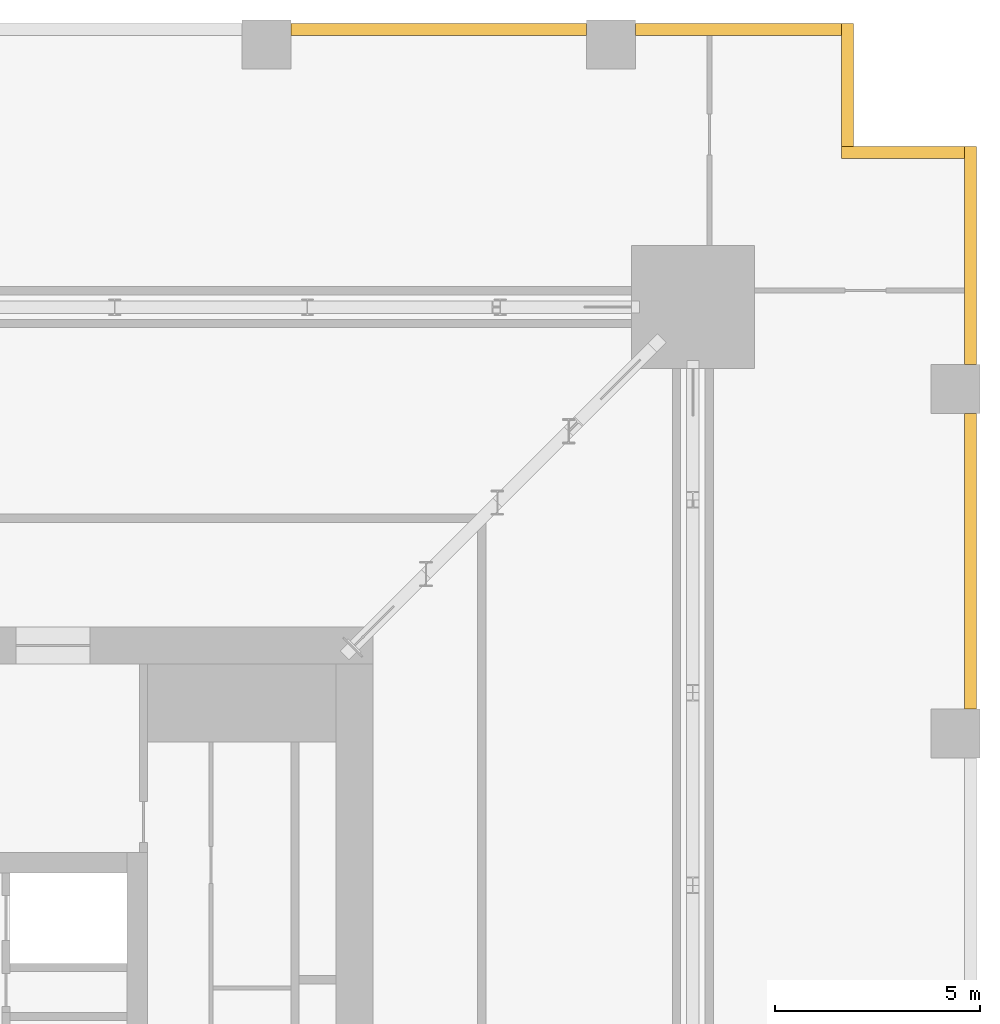
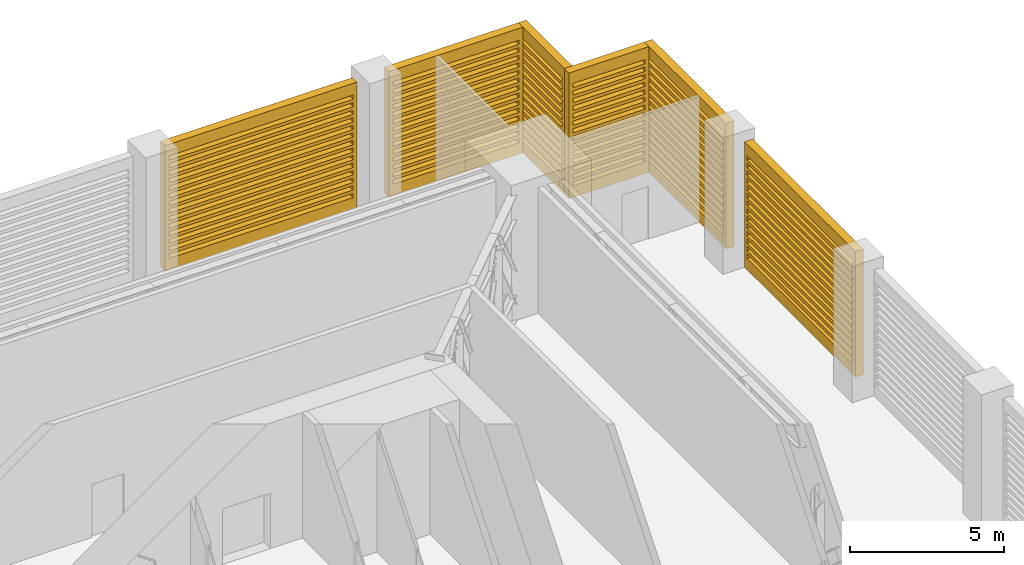
# One storey, part 17 of 17: 6 shading devices.
"""IFC4 building model written with IfcOpenShell, lengths in metres."""

from ifc_helpers import new_model, si_unit, direction, frame, origin, place, context, subcontext, project, spatial, polyline, outline, extrude, material, type_object, element, save


model = new_model("IFC4")

# Units and contexts
model_context = context("Model", 3, precision=1e-05, world=origin(), true_north=direction((0.0, 1.0)))
body_context = subcontext(model_context, "Body", "Model", "MODEL_VIEW")
ifc_project = project(units=[si_unit("LENGTHUNIT", "METRE"), si_unit("AREAUNIT", "SQUARE_METRE"), si_unit("VOLUMEUNIT", "CUBIC_METRE"), si_unit("PLANEANGLEUNIT", "RADIAN"), si_unit("MASSUNIT", "GRAM", prefix="KILO")], contexts=[model_context])

# Site, building, storey
site_placement = place(None, origin())
site = spatial("IfcSite", under=ifc_project, at=site_placement, CompositionType="ELEMENT")
building_placement = place(site_placement, origin())
building = spatial("IfcBuilding", under=site, at=building_placement, Name="Khepri Terraces", CompositionType="ELEMENT")
storey_placement = place(building_placement, frame((0.0, 0.0, 73.800048828125)))
storey = spatial("IfcBuildingStorey", under=building, at=storey_placement, Name="L17", CompositionType="ELEMENT", Elevation=73.800048828125)

# Shading devices
ifc_material = material(Name="Anodised aluminium bronze", Category="aluminium")
shading_device_type = type_object("IfcShadingDeviceType", Name="LVR-PLANT-300", PredefinedType="USERDEFINED", material=ifc_material)
shading_device_1_placement = place(storey_placement, frame((25.419921875, 9.0, 0.0), z_axis=(1.0, 0.0, 0.0), x_axis=(0.0, 1.0, 0.0)))
element("IfcShadingDevice", 1, at=shading_device_1_placement, inside=storey, type_object=shading_device_type, Name="Louvre wall L17 E", ObjectType="LOUVRE", PredefinedType="USERDEFINED", context=body_context, shape_type="SweptSolid", body=[
    extrude(outline(polyline([(0.0, 0.0), (7.199951171875, 0.0), (7.199951171875, 4.97998046875), (0.0, 4.97998046875), (0.0, 0.0)]), holes=[polyline([(0.14990234375, 0.449951171875), (7.050048828125, 0.449951171875), (7.050048828125, 0.6201171875), (0.14990234375, 0.6201171875), (0.14990234375, 0.449951171875)]), polyline([(0.14990234375, 0.75), (7.050048828125, 0.75), (7.050048828125, 0.919921875), (0.14990234375, 0.919921875), (0.14990234375, 0.75)]), polyline([(0.14990234375, 1.050048828125), (7.050048828125, 1.050048828125), (7.050048828125, 1.219970703125), (0.14990234375, 1.219970703125), (0.14990234375, 1.050048828125)]), polyline([(0.14990234375, 1.35009765625), (7.050048828125, 1.35009765625), (7.050048828125, 1.52001953125), (0.14990234375, 1.52001953125), (0.14990234375, 1.35009765625)]), polyline([(0.14990234375, 1.64990234375), (7.050048828125, 1.64990234375), (7.050048828125, 1.820068359375), (0.14990234375, 1.820068359375), (0.14990234375, 1.64990234375)]), polyline([(0.14990234375, 1.949951171875), (7.050048828125, 1.949951171875), (7.050048828125, 2.1201171875), (0.14990234375, 2.1201171875), (0.14990234375, 1.949951171875)]), polyline([(0.14990234375, 2.25), (7.050048828125, 2.25), (7.050048828125, 2.419921875), (0.14990234375, 2.419921875), (0.14990234375, 2.25)]), polyline([(0.14990234375, 2.550048828125), (7.050048828125, 2.550048828125), (7.050048828125, 2.719970703125), (0.14990234375, 2.719970703125), (0.14990234375, 2.550048828125)]), polyline([(0.14990234375, 2.85009765625), (7.050048828125, 2.85009765625), (7.050048828125, 3.02001953125), (0.14990234375, 3.02001953125), (0.14990234375, 2.85009765625)]), polyline([(0.14990234375, 3.14990234375), (7.050048828125, 3.14990234375), (7.050048828125, 3.320068359375), (0.14990234375, 3.320068359375), (0.14990234375, 3.14990234375)]), polyline([(0.14990234375, 3.449951171875), (7.050048828125, 3.449951171875), (7.050048828125, 3.6201171875), (0.14990234375, 3.6201171875), (0.14990234375, 3.449951171875)]), polyline([(0.14990234375, 3.75), (7.050048828125, 3.75), (7.050048828125, 3.919921875), (0.14990234375, 3.919921875), (0.14990234375, 3.75)]), polyline([(0.14990234375, 4.050048828125), (7.050048828125, 4.050048828125), (7.050048828125, 4.219970703125), (0.14990234375, 4.219970703125), (0.14990234375, 4.050048828125)]), polyline([(0.14990234375, 4.35009765625), (7.050048828125, 4.35009765625), (7.050048828125, 4.52001953125), (0.14990234375, 4.52001953125), (0.14990234375, 4.35009765625)])]), origin(), (0.0, 0.0, 1.0), 0.300048828125),
])
shading_device_2_placement = place(storey_placement, frame((25.419921875, 17.39990234375, 0.0), z_axis=(1.0, 0.0, 0.0), x_axis=(0.0, 1.0, 0.0)))
element("IfcShadingDevice", 2, at=shading_device_2_placement, inside=storey, type_object=shading_device_type, Name="Louvre wall L17 E", ObjectType="LOUVRE", PredefinedType="USERDEFINED", context=body_context, shape_type="SweptSolid", body=[
    extrude(outline(polyline([(0.0, 0.0), (5.320068359375, 0.0), (5.320068359375, 4.97998046875), (0.0, 4.97998046875), (0.0, 0.0)]), holes=[polyline([(0.14990234375, 0.449951171875), (5.169921875, 0.449951171875), (5.169921875, 0.6201171875), (0.14990234375, 0.6201171875), (0.14990234375, 0.449951171875)]), polyline([(0.14990234375, 0.75), (5.169921875, 0.75), (5.169921875, 0.919921875), (0.14990234375, 0.919921875), (0.14990234375, 0.75)]), polyline([(0.14990234375, 1.050048828125), (5.169921875, 1.050048828125), (5.169921875, 1.219970703125), (0.14990234375, 1.219970703125), (0.14990234375, 1.050048828125)]), polyline([(0.14990234375, 1.35009765625), (5.169921875, 1.35009765625), (5.169921875, 1.52001953125), (0.14990234375, 1.52001953125), (0.14990234375, 1.35009765625)]), polyline([(0.14990234375, 1.64990234375), (5.169921875, 1.64990234375), (5.169921875, 1.820068359375), (0.14990234375, 1.820068359375), (0.14990234375, 1.64990234375)]), polyline([(0.14990234375, 1.949951171875), (5.169921875, 1.949951171875), (5.169921875, 2.1201171875), (0.14990234375, 2.1201171875), (0.14990234375, 1.949951171875)]), polyline([(0.14990234375, 2.25), (5.169921875, 2.25), (5.169921875, 2.419921875), (0.14990234375, 2.419921875), (0.14990234375, 2.25)]), polyline([(0.14990234375, 2.550048828125), (5.169921875, 2.550048828125), (5.169921875, 2.719970703125), (0.14990234375, 2.719970703125), (0.14990234375, 2.550048828125)]), polyline([(0.14990234375, 2.85009765625), (5.169921875, 2.85009765625), (5.169921875, 3.02001953125), (0.14990234375, 3.02001953125), (0.14990234375, 2.85009765625)]), polyline([(0.14990234375, 3.14990234375), (5.169921875, 3.14990234375), (5.169921875, 3.320068359375), (0.14990234375, 3.320068359375), (0.14990234375, 3.14990234375)]), polyline([(0.14990234375, 3.449951171875), (5.169921875, 3.449951171875), (5.169921875, 3.6201171875), (0.14990234375, 3.6201171875), (0.14990234375, 3.449951171875)]), polyline([(0.14990234375, 3.75), (5.169921875, 3.75), (5.169921875, 3.919921875), (0.14990234375, 3.919921875), (0.14990234375, 3.75)]), polyline([(0.14990234375, 4.050048828125), (5.169921875, 4.050048828125), (5.169921875, 4.219970703125), (0.14990234375, 4.219970703125), (0.14990234375, 4.050048828125)]), polyline([(0.14990234375, 4.35009765625), (5.169921875, 4.35009765625), (5.169921875, 4.52001953125), (0.14990234375, 4.52001953125), (0.14990234375, 4.35009765625)])]), origin(), (0.0, 0.0, 1.0), 0.300048828125),
])
shading_device_3_placement = place(storey_placement, frame((25.419921875, 22.419921875, 0.0), z_axis=(0.0, 1.0, 0.0), x_axis=(-1.0, 0.0, 0.0)))
element("IfcShadingDevice", 3, at=shading_device_3_placement, inside=storey, type_object=shading_device_type, Name="Louvre wall L17 N", ObjectType="LOUVRE", PredefinedType="USERDEFINED", context=body_context, shape_type="SweptSolid", body=[
    extrude(outline(polyline([(0.0, 0.0), (3.0, 0.0), (3.0, 4.97998046875), (0.0, 4.97998046875), (0.0, 0.0)]), holes=[polyline([(0.14990234375, 0.449951171875), (2.85009765625, 0.449951171875), (2.85009765625, 0.6201171875), (0.14990234375, 0.6201171875), (0.14990234375, 0.449951171875)]), polyline([(0.14990234375, 0.75), (2.85009765625, 0.75), (2.85009765625, 0.919921875), (0.14990234375, 0.919921875), (0.14990234375, 0.75)]), polyline([(0.14990234375, 1.050048828125), (2.85009765625, 1.050048828125), (2.85009765625, 1.219970703125), (0.14990234375, 1.219970703125), (0.14990234375, 1.050048828125)]), polyline([(0.14990234375, 1.35009765625), (2.85009765625, 1.35009765625), (2.85009765625, 1.52001953125), (0.14990234375, 1.52001953125), (0.14990234375, 1.35009765625)]), polyline([(0.14990234375, 1.64990234375), (2.85009765625, 1.64990234375), (2.85009765625, 1.820068359375), (0.14990234375, 1.820068359375), (0.14990234375, 1.64990234375)]), polyline([(0.14990234375, 1.949951171875), (2.85009765625, 1.949951171875), (2.85009765625, 2.1201171875), (0.14990234375, 2.1201171875), (0.14990234375, 1.949951171875)]), polyline([(0.14990234375, 2.25), (2.85009765625, 2.25), (2.85009765625, 2.419921875), (0.14990234375, 2.419921875), (0.14990234375, 2.25)]), polyline([(0.14990234375, 2.550048828125), (2.85009765625, 2.550048828125), (2.85009765625, 2.719970703125), (0.14990234375, 2.719970703125), (0.14990234375, 2.550048828125)]), polyline([(0.14990234375, 2.85009765625), (2.85009765625, 2.85009765625), (2.85009765625, 3.02001953125), (0.14990234375, 3.02001953125), (0.14990234375, 2.85009765625)]), polyline([(0.14990234375, 3.14990234375), (2.85009765625, 3.14990234375), (2.85009765625, 3.320068359375), (0.14990234375, 3.320068359375), (0.14990234375, 3.14990234375)]), polyline([(0.14990234375, 3.449951171875), (2.85009765625, 3.449951171875), (2.85009765625, 3.6201171875), (0.14990234375, 3.6201171875), (0.14990234375, 3.449951171875)]), polyline([(0.14990234375, 3.75), (2.85009765625, 3.75), (2.85009765625, 3.919921875), (0.14990234375, 3.919921875), (0.14990234375, 3.75)]), polyline([(0.14990234375, 4.050048828125), (2.85009765625, 4.050048828125), (2.85009765625, 4.219970703125), (0.14990234375, 4.219970703125), (0.14990234375, 4.050048828125)]), polyline([(0.14990234375, 4.35009765625), (2.85009765625, 4.35009765625), (2.85009765625, 4.52001953125), (0.14990234375, 4.52001953125), (0.14990234375, 4.35009765625)])]), origin(), (0.0, 0.0, 1.0), 0.300048828125),
])
shading_device_4_placement = place(storey_placement, frame((22.419921875, 22.719970703125, 0.0), z_axis=(1.0, 0.0, 0.0), x_axis=(0.0, 1.0, 0.0)))
element("IfcShadingDevice", 4, at=shading_device_4_placement, inside=storey, type_object=shading_device_type, Name="Louvre wall L17 E", ObjectType="LOUVRE", PredefinedType="USERDEFINED", context=body_context, shape_type="SweptSolid", body=[
    extrude(outline(polyline([(0.0, 0.0), (3.0, 0.0), (3.0, 4.97998046875), (0.0, 4.97998046875), (0.0, 0.0)]), holes=[polyline([(0.14990234375, 0.449951171875), (2.85009765625, 0.449951171875), (2.85009765625, 0.6201171875), (0.14990234375, 0.6201171875), (0.14990234375, 0.449951171875)]), polyline([(0.14990234375, 0.75), (2.85009765625, 0.75), (2.85009765625, 0.919921875), (0.14990234375, 0.919921875), (0.14990234375, 0.75)]), polyline([(0.14990234375, 1.050048828125), (2.85009765625, 1.050048828125), (2.85009765625, 1.219970703125), (0.14990234375, 1.219970703125), (0.14990234375, 1.050048828125)]), polyline([(0.14990234375, 1.35009765625), (2.85009765625, 1.35009765625), (2.85009765625, 1.52001953125), (0.14990234375, 1.52001953125), (0.14990234375, 1.35009765625)]), polyline([(0.14990234375, 1.64990234375), (2.85009765625, 1.64990234375), (2.85009765625, 1.820068359375), (0.14990234375, 1.820068359375), (0.14990234375, 1.64990234375)]), polyline([(0.14990234375, 1.949951171875), (2.85009765625, 1.949951171875), (2.85009765625, 2.1201171875), (0.14990234375, 2.1201171875), (0.14990234375, 1.949951171875)]), polyline([(0.14990234375, 2.25), (2.85009765625, 2.25), (2.85009765625, 2.419921875), (0.14990234375, 2.419921875), (0.14990234375, 2.25)]), polyline([(0.14990234375, 2.550048828125), (2.85009765625, 2.550048828125), (2.85009765625, 2.719970703125), (0.14990234375, 2.719970703125), (0.14990234375, 2.550048828125)]), polyline([(0.14990234375, 2.85009765625), (2.85009765625, 2.85009765625), (2.85009765625, 3.02001953125), (0.14990234375, 3.02001953125), (0.14990234375, 2.85009765625)]), polyline([(0.14990234375, 3.14990234375), (2.85009765625, 3.14990234375), (2.85009765625, 3.320068359375), (0.14990234375, 3.320068359375), (0.14990234375, 3.14990234375)]), polyline([(0.14990234375, 3.449951171875), (2.85009765625, 3.449951171875), (2.85009765625, 3.6201171875), (0.14990234375, 3.6201171875), (0.14990234375, 3.449951171875)]), polyline([(0.14990234375, 3.75), (2.85009765625, 3.75), (2.85009765625, 3.919921875), (0.14990234375, 3.919921875), (0.14990234375, 3.75)]), polyline([(0.14990234375, 4.050048828125), (2.85009765625, 4.050048828125), (2.85009765625, 4.219970703125), (0.14990234375, 4.219970703125), (0.14990234375, 4.050048828125)]), polyline([(0.14990234375, 4.35009765625), (2.85009765625, 4.35009765625), (2.85009765625, 4.52001953125), (0.14990234375, 4.52001953125), (0.14990234375, 4.35009765625)])]), origin(), (0.0, 0.0, 1.0), 0.300048828125),
])
shading_device_5_placement = place(storey_placement, frame((22.419921875, 25.419921875, 0.0), z_axis=(0.0, 1.0, 0.0), x_axis=(-1.0, 0.0, 0.0)))
element("IfcShadingDevice", 5, at=shading_device_5_placement, inside=storey, type_object=shading_device_type, Name="Louvre wall L17 N", ObjectType="LOUVRE", PredefinedType="USERDEFINED", context=body_context, shape_type="SweptSolid", body=[
    extrude(outline(polyline([(0.0, 0.0), (5.02001953125, 0.0), (5.02001953125, 4.97998046875), (0.0, 4.97998046875), (0.0, 0.0)]), holes=[polyline([(0.14990234375, 0.449951171875), (4.8701171875, 0.449951171875), (4.8701171875, 0.6201171875), (0.14990234375, 0.6201171875), (0.14990234375, 0.449951171875)]), polyline([(0.14990234375, 0.75), (4.8701171875, 0.75), (4.8701171875, 0.919921875), (0.14990234375, 0.919921875), (0.14990234375, 0.75)]), polyline([(0.14990234375, 1.050048828125), (4.8701171875, 1.050048828125), (4.8701171875, 1.219970703125), (0.14990234375, 1.219970703125), (0.14990234375, 1.050048828125)]), polyline([(0.14990234375, 1.35009765625), (4.8701171875, 1.35009765625), (4.8701171875, 1.52001953125), (0.14990234375, 1.52001953125), (0.14990234375, 1.35009765625)]), polyline([(0.14990234375, 1.64990234375), (4.8701171875, 1.64990234375), (4.8701171875, 1.820068359375), (0.14990234375, 1.820068359375), (0.14990234375, 1.64990234375)]), polyline([(0.14990234375, 1.949951171875), (4.8701171875, 1.949951171875), (4.8701171875, 2.1201171875), (0.14990234375, 2.1201171875), (0.14990234375, 1.949951171875)]), polyline([(0.14990234375, 2.25), (4.8701171875, 2.25), (4.8701171875, 2.419921875), (0.14990234375, 2.419921875), (0.14990234375, 2.25)]), polyline([(0.14990234375, 2.550048828125), (4.8701171875, 2.550048828125), (4.8701171875, 2.719970703125), (0.14990234375, 2.719970703125), (0.14990234375, 2.550048828125)]), polyline([(0.14990234375, 2.85009765625), (4.8701171875, 2.85009765625), (4.8701171875, 3.02001953125), (0.14990234375, 3.02001953125), (0.14990234375, 2.85009765625)]), polyline([(0.14990234375, 3.14990234375), (4.8701171875, 3.14990234375), (4.8701171875, 3.320068359375), (0.14990234375, 3.320068359375), (0.14990234375, 3.14990234375)]), polyline([(0.14990234375, 3.449951171875), (4.8701171875, 3.449951171875), (4.8701171875, 3.6201171875), (0.14990234375, 3.6201171875), (0.14990234375, 3.449951171875)]), polyline([(0.14990234375, 3.75), (4.8701171875, 3.75), (4.8701171875, 3.919921875), (0.14990234375, 3.919921875), (0.14990234375, 3.75)]), polyline([(0.14990234375, 4.050048828125), (4.8701171875, 4.050048828125), (4.8701171875, 4.219970703125), (0.14990234375, 4.219970703125), (0.14990234375, 4.050048828125)]), polyline([(0.14990234375, 4.35009765625), (4.8701171875, 4.35009765625), (4.8701171875, 4.52001953125), (0.14990234375, 4.52001953125), (0.14990234375, 4.35009765625)])]), origin(), (0.0, 0.0, 1.0), 0.300048828125),
])
shading_device_6_placement = place(storey_placement, frame((16.199951171875, 25.419921875, 0.0), z_axis=(0.0, 1.0, 0.0), x_axis=(-1.0, 0.0, 0.0)))
element("IfcShadingDevice", 6, at=shading_device_6_placement, inside=storey, type_object=shading_device_type, Name="Louvre wall L17 N", ObjectType="LOUVRE", PredefinedType="USERDEFINED", context=body_context, shape_type="SweptSolid", body=[
    extrude(outline(polyline([(0.0, 0.0), (7.199951171875, 0.0), (7.199951171875, 4.97998046875), (0.0, 4.97998046875), (0.0, 0.0)]), holes=[polyline([(0.14990234375, 0.449951171875), (7.050048828125, 0.449951171875), (7.050048828125, 0.6201171875), (0.14990234375, 0.6201171875), (0.14990234375, 0.449951171875)]), polyline([(0.14990234375, 0.75), (7.050048828125, 0.75), (7.050048828125, 0.919921875), (0.14990234375, 0.919921875), (0.14990234375, 0.75)]), polyline([(0.14990234375, 1.050048828125), (7.050048828125, 1.050048828125), (7.050048828125, 1.219970703125), (0.14990234375, 1.219970703125), (0.14990234375, 1.050048828125)]), polyline([(0.14990234375, 1.35009765625), (7.050048828125, 1.35009765625), (7.050048828125, 1.52001953125), (0.14990234375, 1.52001953125), (0.14990234375, 1.35009765625)]), polyline([(0.14990234375, 1.64990234375), (7.050048828125, 1.64990234375), (7.050048828125, 1.820068359375), (0.14990234375, 1.820068359375), (0.14990234375, 1.64990234375)]), polyline([(0.14990234375, 1.949951171875), (7.050048828125, 1.949951171875), (7.050048828125, 2.1201171875), (0.14990234375, 2.1201171875), (0.14990234375, 1.949951171875)]), polyline([(0.14990234375, 2.25), (7.050048828125, 2.25), (7.050048828125, 2.419921875), (0.14990234375, 2.419921875), (0.14990234375, 2.25)]), polyline([(0.14990234375, 2.550048828125), (7.050048828125, 2.550048828125), (7.050048828125, 2.719970703125), (0.14990234375, 2.719970703125), (0.14990234375, 2.550048828125)]), polyline([(0.14990234375, 2.85009765625), (7.050048828125, 2.85009765625), (7.050048828125, 3.02001953125), (0.14990234375, 3.02001953125), (0.14990234375, 2.85009765625)]), polyline([(0.14990234375, 3.14990234375), (7.050048828125, 3.14990234375), (7.050048828125, 3.320068359375), (0.14990234375, 3.320068359375), (0.14990234375, 3.14990234375)]), polyline([(0.14990234375, 3.449951171875), (7.050048828125, 3.449951171875), (7.050048828125, 3.6201171875), (0.14990234375, 3.6201171875), (0.14990234375, 3.449951171875)]), polyline([(0.14990234375, 3.75), (7.050048828125, 3.75), (7.050048828125, 3.919921875), (0.14990234375, 3.919921875), (0.14990234375, 3.75)]), polyline([(0.14990234375, 4.050048828125), (7.050048828125, 4.050048828125), (7.050048828125, 4.219970703125), (0.14990234375, 4.219970703125), (0.14990234375, 4.050048828125)]), polyline([(0.14990234375, 4.35009765625), (7.050048828125, 4.35009765625), (7.050048828125, 4.52001953125), (0.14990234375, 4.52001953125), (0.14990234375, 4.35009765625)])]), origin(), (0.0, 0.0, 1.0), 0.300048828125),
])

save(model, "model.ifc")
